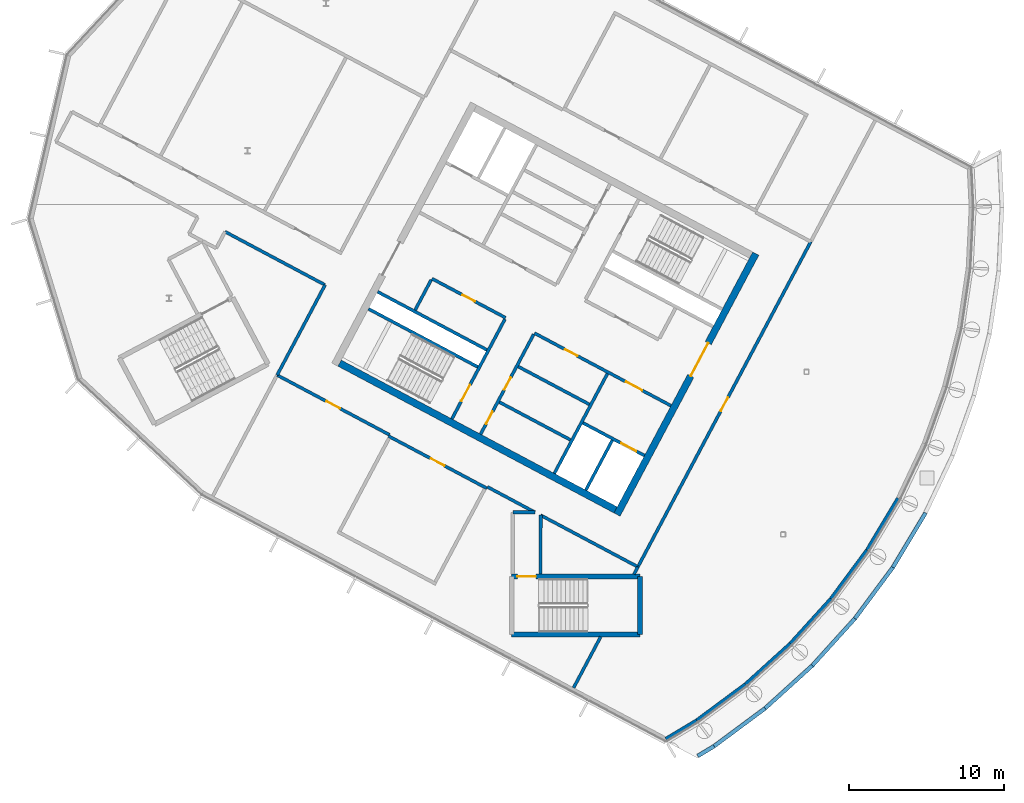
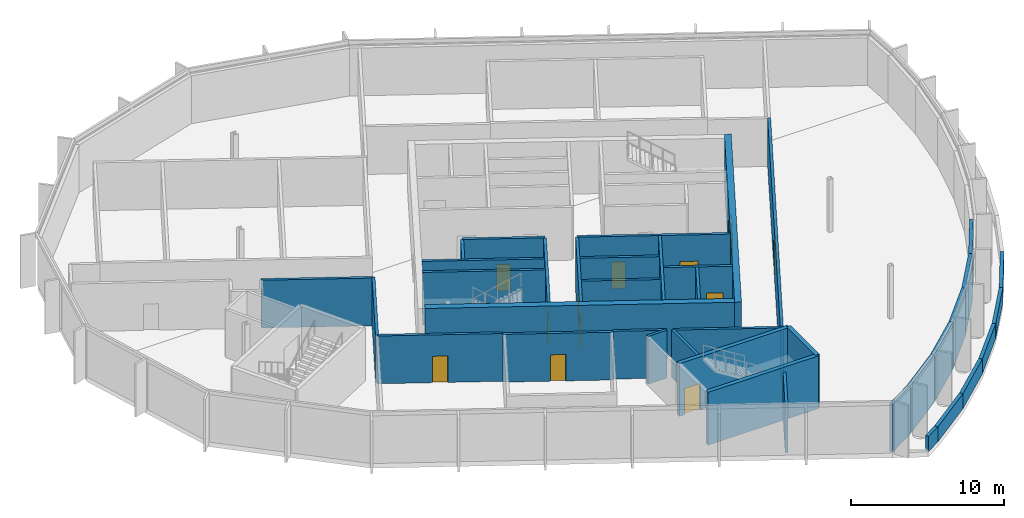
# One storey, part 6 of 16: 40 walls, 12 doors, 12 openings.
"""IFC4 building model written with IfcOpenShell, lengths in metres."""

import ifcopenshell
import ifcopenshell.guid

model = None  # the IFC model being written
_history = None  # IfcOwnerHistory: only IFC2X3 demands one
_inside = {}  # id of a spatial element -> (the spatial element, [elements in it])
_under = {}  # id of a project, library or spatial element -> (it, [spatial elements below it])
_declared = {}  # id of a project -> (the project, [libraries it declares])
_typed = {}  # id of a type object -> (the type object, [elements of that type])
_made_of = {}  # id of a material, layer set ... -> (it, [elements and type objects made of it])


def new_model(schema):
    """Start an empty IFC model of exactly this schema.

    Asked for "IFC4X3", IfcOpenShell would pick the latest addendum, in which some entities
    have other attributes; the version numbers below select the first issue.
    IFC2X3 requires an IfcOwnerHistory on every rooted entity: one is made here for all.
    """
    global model, _history
    if schema == "IFC4X3":
        model = ifcopenshell.file(schema_version=(4, 3, 0, 0))
    else:
        model = ifcopenshell.file(schema=schema)
    _inside.clear()
    _under.clear()
    _declared.clear()
    _typed.clear()
    _made_of.clear()
    _history = None
    if model.schema == "IFC2X3":
        org = make("IfcOrganization", Name="unknown")
        user = make(
            "IfcPersonAndOrganization",
            ThePerson=make("IfcPerson", FamilyName="unknown"),
            TheOrganization=org,
        )
        app = make(
            "IfcApplication",
            ApplicationDeveloper=org,
            Version="unknown",
            ApplicationFullName="unknown",
            ApplicationIdentifier="unknown",
        )
        _history = make(
            "IfcOwnerHistory",
            OwningUser=user,
            OwningApplication=app,
            ChangeAction="ADDED",
            CreationDate=0,
        )
    return model


def make(cls, **values):
    """One entity of the class cls with the attributes given. An attribute that is None is left unset."""
    return model.create_entity(
        cls, **{name: value for name, value in values.items() if value is not None}
    )


def rooted(cls, **values):
    """An entity with a GlobalId (a new one), such as an element, a storey or a relation."""
    return make(cls, GlobalId=ifcopenshell.guid.new(), OwnerHistory=_history, **values)


def si_unit(unit_type, name, prefix=None):
    """IfcSIUnit, for example si_unit("LENGTHUNIT", "METRE", prefix="MILLI")."""
    return make("IfcSIUnit", UnitType=unit_type, Prefix=prefix, Name=name)


def assignment(units):
    """IfcUnitAssignment: the units of a project."""
    return None if units is None else make("IfcUnitAssignment", Units=units)


def point(xyz):
    """IfcCartesianPoint."""
    return None if xyz is None else make("IfcCartesianPoint", Coordinates=xyz)


def direction(xyz):
    """IfcDirection."""
    return None if xyz is None else make("IfcDirection", DirectionRatios=xyz)


def frame(location, z_axis=None, x_axis=None):
    """IfcAxis2Placement3D, a coordinate frame: its origin and axes. An axis left out is left unset."""
    return make(
        "IfcAxis2Placement3D",
        Location=point(location),
        Axis=direction(z_axis),
        RefDirection=direction(x_axis),
    )


def frame_2d(location, x_axis=None):
    """IfcAxis2Placement2D, a coordinate frame in the plane: its origin and x axis."""
    return make(
        "IfcAxis2Placement2D", Location=point(location), RefDirection=direction(x_axis)
    )


def origin():
    """The frame at (0, 0, 0) with its axes left unset."""
    return frame((0.0, 0.0, 0.0))


def place(relative_to, where):
    """IfcLocalPlacement: puts the frame where relative to a parent placement (None: the world)."""
    return make(
        "IfcLocalPlacement", PlacementRelTo=relative_to, RelativePlacement=where
    )


def context(
    kind, dimensions, precision=None, world=None, true_north=None, identifier=None
):
    """IfcGeometricRepresentationContext, for example the 3D "Model" context."""
    return make(
        "IfcGeometricRepresentationContext",
        ContextIdentifier=identifier,
        ContextType=kind,
        CoordinateSpaceDimension=dimensions,
        Precision=precision,
        WorldCoordinateSystem=world,
        TrueNorth=true_north,
    )


def subcontext(parent, identifier, kind, view, scale=None):
    """IfcGeometricRepresentationSubContext, for example "Body" below "Model"."""
    return make(
        "IfcGeometricRepresentationSubContext",
        ContextIdentifier=identifier,
        ContextType=kind,
        ParentContext=parent,
        TargetScale=scale,
        TargetView=view,
    )


def project(units=None, contexts=None):
    """IfcProject with its units and contexts."""
    return rooted(
        "IfcProject",
        Name="project",
        RepresentationContexts=contexts,
        UnitsInContext=assignment(units),
    )


def spatial(cls, under=None, at=None, **own):
    """A site, building, storey or space (cls), placed at a placement, below another one or the project."""
    s = rooted(cls, ObjectPlacement=at, **own)
    if under is not None:
        _under.setdefault(under.id(), (under, []))[1].append(s)
    return s


def profile(cls, at=None, kind="AREA", **sizes):
    """A parametric profile (cls). Its sizes go by their IFC names, for example OverallWidth=200.0."""
    return make(cls, ProfileType=kind, Position=at, **sizes)


def rectangle(**sizes):
    """IfcRectangleProfileDef."""
    return profile("IfcRectangleProfileDef", **sizes)


def extrude(swept, where, along, depth):
    """IfcExtrudedAreaSolid: the profile swept, set in the frame where, extruded along a direction by depth."""
    return make(
        "IfcExtrudedAreaSolid",
        SweptArea=swept,
        Position=where,
        ExtrudedDirection=direction(along),
        Depth=depth,
    )


def shape(context_of_items, identifier, shape_type, items):
    """IfcShapeRepresentation: the items that make up one representation, for example the "Body"."""
    return make(
        "IfcShapeRepresentation",
        ContextOfItems=context_of_items,
        RepresentationIdentifier=identifier,
        RepresentationType=shape_type,
        Items=items,
    )


def material(Name=None, Category=None):
    """IfcMaterial."""
    return make("IfcMaterial", Name=Name, Category=Category)


def layer(
    of_material, thickness, ventilated=None, Name=None, Category=None, Priority=None
):
    """IfcMaterialLayer: one layer of a wall or slab, of a material (None: an air gap)."""
    return make(
        "IfcMaterialLayer",
        Material=of_material,
        LayerThickness=thickness,
        IsVentilated=ventilated,
        Name=Name,
        Category=Category,
        Priority=Priority,
    )


def layer_set(layers, Name=None):
    """IfcMaterialLayerSet."""
    return make("IfcMaterialLayerSet", MaterialLayers=layers, LayerSetName=Name)


def made_of(thing, what):
    """Note that an element or type object is made of a material, layer set ...; save() writes the relation."""
    if what is not None:
        _made_of.setdefault(what.id(), (what, []))[1].append(thing)
    return thing


def type_object(cls, material=None, **own):
    """A type object (cls), such as IfcWallType, which elements share."""
    return made_of(rooted(cls, **own), material)


def element(
    cls,
    number,
    at=None,
    inside=None,
    cuts=None,
    type_object=None,
    material=None,
    context=None,
    identifier="Body",
    shape_type=None,
    held_by="IfcProductDefinitionShape",
    body=None,
    shapes=None,
    **own,
):
    """One element of the class cls, such as IfcWall. Its Tag is "e" and its number.

    at: its placement. inside: the storey or other place that contains it. cuts: it is an
    opening in that element (IfcRelVoidsElement). A single representation is given by context,
    identifier, shape_type and body (its items); several are given by shapes. held_by: the class
    of the entity that holds the representations. save() writes the other relations.
    """
    e = rooted(cls, Tag="e%d" % number, ObjectPlacement=at, **own)
    if body is not None:
        shapes = [shape(context, identifier, shape_type, body)]
    if shapes is not None:
        e.Representation = make(held_by, Representations=shapes)
    if inside is not None:
        _inside.setdefault(inside.id(), (inside, []))[1].append(e)
    if cuts is not None:
        rooted(
            "IfcRelVoidsElement", RelatingBuildingElement=cuts, RelatedOpeningElement=e
        )
    if type_object is not None:
        _typed.setdefault(type_object.id(), (type_object, []))[1].append(e)
    return made_of(e, material)


def fill(opening, filler):
    """IfcRelFillsElement: the door or window that sits in an opening."""
    return rooted(
        "IfcRelFillsElement",
        RelatingOpeningElement=opening,
        RelatedBuildingElement=filler,
    )


def aggregate(whole, parts):
    """IfcRelAggregates: a whole, such as a stair, and the parts it consists of."""
    return rooted("IfcRelAggregates", RelatingObject=whole, RelatedObjects=parts)


def save(model, path):
    """Write the relations noted so far, then the file.

    IfcRelAggregates (storeys below a building ...), IfcRelContainedInSpatialStructure (elements
    in a storey), IfcRelDefinesByType, IfcRelAssociatesMaterial and IfcRelDeclares: one each for
    every whole, place, type object, material and project.
    """
    for whole, parts in _under.values():
        aggregate(whole, parts)
    for where, things in _inside.values():
        rooted(
            "IfcRelContainedInSpatialStructure",
            RelatedElements=things,
            RelatingStructure=where,
        )
    for kind, things in _typed.values():
        rooted("IfcRelDefinesByType", RelatedObjects=things, RelatingType=kind)
    for what, things in _made_of.values():
        rooted("IfcRelAssociatesMaterial", RelatedObjects=things, RelatingMaterial=what)
    for by, libraries in _declared.values():
        rooted("IfcRelDeclares", RelatingContext=by, RelatedDefinitions=libraries)
    model.write(path)


model = new_model("IFC4")

# Units and contexts
model_context = context("Model", 3, precision=1e-05, world=origin(), true_north=direction((0.0, 1.0)))
body_context = subcontext(model_context, "Body", "Model", "MODEL_VIEW")
ifc_project = project(units=[si_unit("LENGTHUNIT", "METRE"), si_unit("AREAUNIT", "SQUARE_METRE"), si_unit("VOLUMEUNIT", "CUBIC_METRE"), si_unit("PLANEANGLEUNIT", "RADIAN"), si_unit("MASSUNIT", "GRAM", prefix="KILO")], contexts=[model_context])

# Site, building, storey
site_placement = place(None, origin())
site = spatial("IfcSite", under=ifc_project, at=site_placement, CompositionType="ELEMENT")
building_placement = place(site_placement, origin())
building = spatial("IfcBuilding", under=site, at=building_placement, Name="Cormorant Relay Tower", CompositionType="ELEMENT")
storey_placement = place(building_placement, frame((0.0, 0.0, 340.800048828125)))
storey = spatial("IfcBuildingStorey", under=building, at=storey_placement, Name="C4", CompositionType="ELEMENT", Elevation=340.800048828125)

# Walls
ifc_material_1 = material(Name="Concrete 40 MPa", Category="concrete")
ifc_layer_1 = layer(ifc_material_1, 0.199951171875)
ifc_layer_set_1 = layer_set([ifc_layer_1], Name="Core internal wall 200")
wall_type_1 = type_object("IfcWallType", Name="Core internal wall 200", PredefinedType="SOLIDWALL", material=ifc_layer_set_1)
wall_1_placement = place(storey_placement, frame((-25.7490234375, 6.102783203125, 0.0), z_axis=(0.0, 0.0, 1.0), x_axis=(-0.882953967957, 0.469459572775, 0.0)))
element("IfcWall", 1, at=wall_1_placement, inside=storey, type_object=wall_type_1, Name="C4 core A shaft and room wall", PredefinedType="SOLIDWALL", context=body_context, shape_type="SweptSolid", body=[
    extrude(rectangle(XDim=5.199951171875, YDim=0.199951171875, at=frame_2d((2.60009765625, 0.0))), origin(), (0.0, 0.0, 1.0), 4.199951171875),
])
ifc_material_2 = material(Name="Concrete 50 MPa", Category="concrete")
ifc_layer_2 = layer(ifc_material_2, 0.199951171875)
ifc_layer_set_2 = layer_set([ifc_layer_2], Name="Core shaft wall 200")
wall_type_2 = type_object("IfcWallType", Name="Core shaft wall 200", PredefinedType="SHEAR", material=ifc_layer_set_2)
wall_2_placement = place(storey_placement, frame((-23.04296875, 6.07958984375, 0.0), z_axis=(0.0, 0.0, 1.0), x_axis=(-0.469494272526, -0.882935517501, 0.0)))
element("IfcWall", 2, at=wall_2_placement, inside=storey, type_object=wall_type_2, Name="C4 core A shaft wall", PredefinedType="SHEAR", context=body_context, shape_type="SweptSolid", body=[
    extrude(rectangle(XDim=3.64990234375, YDim=0.199951171875, at=frame_2d((1.824951171875, 0.0))), origin(), (0.0, 0.0, 1.0), 4.199951171875),
])
wall_3_placement = place(storey_placement, frame((-23.360107421875, 10.38232421875, 0.0), z_axis=(0.0, 0.0, 1.0), x_axis=(-0.469480409012, -0.88294288918, 0.0)))
element("IfcWall", 3, at=wall_3_placement, inside=storey, type_object=wall_type_2, Name="C4 core A shaft wall", PredefinedType="SHEAR", context=body_context, shape_type="SweptSolid", body=[
    extrude(rectangle(XDim=7.300048828125, YDim=0.199951171875, at=frame_2d((3.64990234375, 0.0))), origin(), (0.0, 0.0, 1.0), 4.199951171875),
])

# Wall, openings, doors
wall_4_placement = place(storey_placement, frame((-28.128173828125, 12.91748046875, 0.0), z_axis=(0.0, 0.0, 1.0), x_axis=(-0.469454336211, -0.882956752176, 0.0)))
wall_4 = element("IfcWall", 4, at=wall_4_placement, inside=storey, type_object=wall_type_2, Name="C4 core A shaft wall", PredefinedType="SHEAR", context=body_context, shape_type="SweptSolid", body=[
    extrude(rectangle(XDim=7.300048828125, YDim=0.199951171875, at=frame_2d((3.64990234375, 0.0))), origin(), (0.0, 0.0, 1.0), 4.199951171875),
])
opening_1_placement = place(wall_4_placement, frame((3.14990234375, 0.0, 0.0)))
opening_1 = element("IfcOpeningElement", 5, at=opening_1_placement, cuts=wall_4, Name="Opening CDD-382", PredefinedType="OPENING", context=body_context, shape_type="SweptSolid", body=[
    extrude(rectangle(XDim=0.89990234375, YDim=2.10009765625, at=frame_2d((0.449951171875, 1.050048828125))), frame((0.0, 0.10986328125, 0.0), z_axis=(0.0, -1.0, 0.0), x_axis=(1.0, 0.0, 0.0)), (0.0, 0.0, 1.0), 0.219970703125),
])
opening_2_placement = place(wall_4_placement, frame((5.64990234375, 0.0, 0.0)))
opening_2 = element("IfcOpeningElement", 6, at=opening_2_placement, cuts=wall_4, Name="Opening CDD-383", PredefinedType="OPENING", context=body_context, shape_type="SweptSolid", body=[
    extrude(rectangle(XDim=0.89990234375, YDim=2.10009765625, at=frame_2d((0.449951171875, 1.050048828125))), frame((0.0, 0.10986328125, 0.0), z_axis=(0.0, -1.0, 0.0), x_axis=(1.0, 0.0, 0.0)), (0.0, 0.0, 1.0), 0.219970703125),
])
ifc_material_3 = material(Name="Steel fire door", Category="steel")
door_type_1 = type_object("IfcDoorType", Name="Core room door 900x2100", OperationType="SINGLE_SWING_LEFT", PredefinedType="DOOR", material=ifc_material_3)
door_1_placement = place(opening_1_placement, origin())
door_1 = element("IfcDoor", 7, at=door_1_placement, inside=storey, type_object=door_type_1, Name="Core room door 900x2100", OperationType="SINGLE_SWING_LEFT", OverallHeight=2.10009765625, OverallWidth=0.89990234375, PredefinedType="DOOR", context=body_context, shape_type="SweptSolid", body=[
    extrude(rectangle(XDim=0.89990234375, YDim=2.10009765625, at=frame_2d((0.449951171875, 1.050048828125))), frame((0.0, 0.02490234375, 0.0), z_axis=(0.0, -1.0, 0.0), x_axis=(1.0, 0.0, 0.0)), (0.0, 0.0, 1.0), 0.050048828125),
])
fill(opening_1, door_1)
door_2_placement = place(opening_2_placement, origin())
door_2 = element("IfcDoor", 8, at=door_2_placement, inside=storey, type_object=door_type_1, Name="Core room door 900x2100", OperationType="SINGLE_SWING_LEFT", OverallHeight=2.10009765625, OverallWidth=0.89990234375, PredefinedType="DOOR", context=body_context, shape_type="SweptSolid", body=[
    extrude(rectangle(XDim=0.89990234375, YDim=2.10009765625, at=frame_2d((0.449951171875, 1.050048828125))), frame((0.0, 0.02490234375, 0.0), z_axis=(0.0, -1.0, 0.0), x_axis=(1.0, 0.0, 0.0)), (0.0, 0.0, 1.0), 0.050048828125),
])
fill(opening_2, door_2)

# Wall, opening, door
wall_5_placement = place(storey_placement, frame((-29.982421875, 13.9033203125, 0.0), z_axis=(0.0, 0.0, 1.0), x_axis=(-0.469454336211, -0.882956752176, 0.0)))
wall_5 = element("IfcWall", 9, at=wall_5_placement, inside=storey, type_object=wall_type_2, Name="C4 core A shaft wall", PredefinedType="SHEAR", context=body_context, shape_type="SweptSolid", body=[
    extrude(rectangle(XDim=7.300048828125, YDim=0.199951171875, at=frame_2d((3.64990234375, 0.0))), origin(), (0.0, 0.0, 1.0), 4.199951171875),
])
opening_3_placement = place(wall_5_placement, frame((4.800048828125, 0.0, 0.0)))
opening_3 = element("IfcOpeningElement", 10, at=opening_3_placement, cuts=wall_5, Name="Opening CDB-045", PredefinedType="OPENING", context=body_context, shape_type="SweptSolid", body=[
    extrude(rectangle(XDim=1.199951171875, YDim=2.10009765625, at=frame_2d((0.60009765625, 1.050048828125))), frame((0.0, 0.10986328125, 0.0), z_axis=(0.0, -1.0, 0.0), x_axis=(1.0, 0.0, 0.0)), (0.0, 0.0, 1.0), 0.219970703125),
])
ifc_material_4 = material(Name="Steel fire door", Category="steel")
door_type_2 = type_object("IfcDoorType", Name="Core stair door 1200x2100", OperationType="SINGLE_SWING_LEFT", PredefinedType="DOOR", material=ifc_material_4)
door_3_placement = place(opening_3_placement, frame((1.199951171875, 0.0, 0.0), z_axis=(0.0, 0.0, 1.0), x_axis=(-1.0, 0.0, 0.0)))
door_3 = element("IfcDoor", 11, at=door_3_placement, inside=storey, type_object=door_type_2, Name="Core stair door 1200x2100", OperationType="SINGLE_SWING_RIGHT", OverallHeight=2.10009765625, OverallWidth=1.199951171875, PredefinedType="DOOR", context=body_context, shape_type="SweptSolid", body=[
    extrude(rectangle(XDim=1.199951171875, YDim=2.10009765625, at=frame_2d((0.60009765625, 1.050048828125))), frame((0.0, 0.02490234375, 0.0), z_axis=(0.0, -1.0, 0.0), x_axis=(1.0, 0.0, 0.0)), (0.0, 0.0, 1.0), 0.050048828125),
])
fill(opening_3, door_3)

# Wall
wall_6_placement = place(storey_placement, frame((-34.750244140625, 16.4384765625, 0.0), z_axis=(0.0, 0.0, 1.0), x_axis=(-0.469401318492, -0.882984938828, 0.0)))
element("IfcWall", 12, at=wall_6_placement, inside=storey, type_object=wall_type_2, Name="C4 core A shaft wall", PredefinedType="SHEAR", context=body_context, shape_type="SweptSolid", body=[
    extrude(rectangle(XDim=2.199951171875, YDim=0.199951171875, at=frame_2d((1.10009765625, 0.0))), origin(), (0.0, 0.0, 1.0), 4.199951171875),
])

# Wall, openings, doors
wall_7_placement = place(storey_placement, frame((-19.251708984375, 8.31103515625, 0.0), z_axis=(0.0, 0.0, 1.0), x_axis=(-0.882955722218, 0.469456273365, 0.0)))
wall_7 = element("IfcWall", 13, at=wall_7_placement, inside=storey, type_object=wall_type_2, Name="C4 core A shaft wall", PredefinedType="SHEAR", context=body_context, shape_type="SweptSolid", body=[
    extrude(rectangle(XDim=10.0, YDim=0.199951171875, at=frame_2d((5.0, 0.0))), origin(), (0.0, 0.0, 1.0), 4.199951171875),
])
opening_4_placement = place(wall_7_placement, frame((2.10009765625, 0.0, 0.0)))
opening_4 = element("IfcOpeningElement", 14, at=opening_4_placement, cuts=wall_7, Name="Opening CDC-040", PredefinedType="OPENING", context=body_context, shape_type="SweptSolid", body=[
    extrude(rectangle(XDim=1.199951171875, YDim=2.10009765625, at=frame_2d((0.60009765625, 1.050048828125))), frame((0.0, 0.10986328125, 0.0), z_axis=(0.0, -1.0, 0.0), x_axis=(1.0, 0.0, 0.0)), (0.0, 0.0, 1.0), 0.219970703125),
])
opening_5_placement = place(wall_7_placement, frame((6.85009765625, 0.0, 0.0)))
opening_5 = element("IfcOpeningElement", 15, at=opening_5_placement, cuts=wall_7, Name="Opening CDD-363", PredefinedType="OPENING", context=body_context, shape_type="SweptSolid", body=[
    extrude(rectangle(XDim=0.89990234375, YDim=2.10009765625, at=frame_2d((0.449951171875, 1.050048828125))), frame((0.0, 0.10986328125, 0.0), z_axis=(0.0, -1.0, 0.0), x_axis=(1.0, 0.0, 0.0)), (0.0, 0.0, 1.0), 0.219970703125),
])
ifc_material_5 = material(Name="Steel fire door", Category="steel")
door_type_3 = type_object("IfcDoorType", Name="Core lobby door 1200x2100", OperationType="SINGLE_SWING_LEFT", PredefinedType="DOOR", material=ifc_material_5)
door_4_placement = place(opening_4_placement, origin())
door_4 = element("IfcDoor", 16, at=door_4_placement, inside=storey, type_object=door_type_3, Name="Core lobby door 1200x2100", OperationType="SINGLE_SWING_RIGHT", OverallHeight=2.10009765625, OverallWidth=1.199951171875, PredefinedType="DOOR", context=body_context, shape_type="SweptSolid", body=[
    extrude(rectangle(XDim=1.199951171875, YDim=2.10009765625, at=frame_2d((0.60009765625, 1.050048828125))), frame((0.0, 0.02490234375, 0.0), z_axis=(0.0, -1.0, 0.0), x_axis=(1.0, 0.0, 0.0)), (0.0, 0.0, 1.0), 0.050048828125),
])
fill(opening_4, door_4)
door_5_placement = place(opening_5_placement, origin())
door_5 = element("IfcDoor", 17, at=door_5_placement, inside=storey, type_object=door_type_1, Name="Core room door 900x2100", OperationType="SINGLE_SWING_LEFT", OverallHeight=2.10009765625, OverallWidth=0.89990234375, PredefinedType="DOOR", context=body_context, shape_type="SweptSolid", body=[
    extrude(rectangle(XDim=0.89990234375, YDim=2.10009765625, at=frame_2d((0.449951171875, 1.050048828125))), frame((0.0, 0.02490234375, 0.0), z_axis=(0.0, -1.0, 0.0), x_axis=(1.0, 0.0, 0.0)), (0.0, 0.0, 1.0), 0.050048828125),
])
fill(opening_5, door_5)

# Wall, opening, door
wall_8_placement = place(storey_placement, frame((-29.935302734375, 13.991455078125, 0.0), z_axis=(0.0, 0.0, 1.0), x_axis=(-0.882952937579, 0.469461510692, 0.0)))
wall_8 = element("IfcWall", 18, at=wall_8_placement, inside=storey, type_object=wall_type_2, Name="C4 core A shaft wall", PredefinedType="SHEAR", context=body_context, shape_type="SweptSolid", body=[
    extrude(rectangle(XDim=5.400146484375, YDim=0.199951171875, at=frame_2d((2.7001953125, 0.0))), origin(), (0.0, 0.0, 1.0), 4.199951171875),
])
opening_6_placement = place(wall_8_placement, frame((2.25, 0.0, 0.0)))
opening_6 = element("IfcOpeningElement", 19, at=opening_6_placement, cuts=wall_8, Name="Opening CDD-364", PredefinedType="OPENING", context=body_context, shape_type="SweptSolid", body=[
    extrude(rectangle(XDim=0.89990234375, YDim=2.10009765625, at=frame_2d((0.449951171875, 1.050048828125))), frame((0.0, 0.10986328125, 0.0), z_axis=(0.0, -1.0, 0.0), x_axis=(1.0, 0.0, 0.0)), (0.0, 0.0, 1.0), 0.219970703125),
])
door_6_placement = place(opening_6_placement, origin())
door_6 = element("IfcDoor", 20, at=door_6_placement, inside=storey, type_object=door_type_1, Name="Core room door 900x2100", OperationType="SINGLE_SWING_LEFT", OverallHeight=2.10009765625, OverallWidth=0.89990234375, PredefinedType="DOOR", context=body_context, shape_type="SweptSolid", body=[
    extrude(rectangle(XDim=0.89990234375, YDim=2.10009765625, at=frame_2d((0.449951171875, 1.050048828125))), frame((0.0, 0.02490234375, 0.0), z_axis=(0.0, -1.0, 0.0), x_axis=(1.0, 0.0, 0.0)), (0.0, 0.0, 1.0), 0.050048828125),
])
fill(opening_6, door_6)

# Walls
wall_9_placement = place(storey_placement, frame((-24.5283203125, 8.3984375, 0.0), z_axis=(0.0, 0.0, 1.0), x_axis=(-0.882953967957, 0.469459572775, 0.0)))
element("IfcWall", 21, at=wall_9_placement, inside=storey, type_object=wall_type_2, Name="C4 core A shaft wall", PredefinedType="SHEAR", context=body_context, shape_type="SweptSolid", body=[
    extrude(rectangle(XDim=5.199951171875, YDim=0.199951171875, at=frame_2d((2.60009765625, 0.0))), origin(), (0.0, 0.0, 1.0), 4.199951171875),
])
wall_10_placement = place(storey_placement, frame((-31.150390625, 11.91943359375, 0.0), z_axis=(0.0, 0.0, 1.0), x_axis=(-0.882940221191, 0.469485426614, 0.0)))
element("IfcWall", 22, at=wall_10_placement, inside=storey, type_object=wall_type_2, Name="C4 core A shaft wall", PredefinedType="SHEAR", context=body_context, shape_type="SweptSolid", body=[
    extrude(rectangle(XDim=8.0, YDim=0.199951171875, at=frame_2d((4.0, 0.0))), origin(), (0.0, 0.0, 1.0), 4.199951171875),
])

# Wall, opening, door
wall_11_placement = place(storey_placement, frame((-20.96533203125, 5.088134765625, 0.0), z_axis=(0.0, 0.0, 1.0), x_axis=(-0.882925986334, 0.469512196493, 0.0)))
wall_11 = element("IfcWall", 23, at=wall_11_placement, inside=storey, type_object=wall_type_2, Name="C4 core A shaft wall", PredefinedType="SHEAR", context=body_context, shape_type="SweptSolid", body=[
    extrude(rectangle(XDim=4.5, YDim=0.199951171875, at=frame_2d((2.25, 0.0))), origin(), (0.0, 0.0, 1.0), 4.199951171875),
])
opening_7_placement = place(wall_11_placement, frame((0.60009765625, 0.0, 0.0)))
opening_7 = element("IfcOpeningElement", 24, at=opening_7_placement, cuts=wall_11, Name="Opening LD1-069", PredefinedType="OPENING", context=body_context, shape_type="SweptSolid", body=[
    extrude(rectangle(XDim=1.10009765625, YDim=2.10009765625, at=frame_2d((0.550048828125, 1.050048828125))), frame((0.0, 0.10986328125, 0.0), z_axis=(0.0, -1.0, 0.0), x_axis=(1.0, 0.0, 0.0)), (0.0, 0.0, 1.0), 0.219970703125),
])
ifc_material_6 = material(Name="Stainless steel 316", Category="steel")
door_type_4 = type_object("IfcDoorType", Name="Lift landing door 1100x2100", OperationType="DOUBLE_DOOR_SLIDING", PredefinedType="DOOR", material=ifc_material_6)
door_7_placement = place(opening_7_placement, origin())
door_7 = element("IfcDoor", 25, at=door_7_placement, inside=storey, type_object=door_type_4, Name="FF1 landing door", OperationType="DOUBLE_DOOR_SLIDING", OverallHeight=2.10009765625, OverallWidth=1.10009765625, PredefinedType="DOOR", context=body_context, shape_type="SweptSolid", body=[
    extrude(rectangle(XDim=1.10009765625, YDim=2.10009765625, at=frame_2d((0.550048828125, 1.050048828125))), frame((0.0, 0.02490234375, 0.0), z_axis=(0.0, -1.0, 0.0), x_axis=(1.0, 0.0, 0.0)), (0.0, 0.0, 1.0), 0.050048828125),
])
fill(opening_7, door_7)

# Wall
wall_12_placement = place(storey_placement, frame((-31.7373046875, 10.815673828125, 0.0), z_axis=(0.0, 0.0, 1.0), x_axis=(-0.882940221191, 0.469485426614, 0.0)))
element("IfcWall", 26, at=wall_12_placement, inside=storey, type_object=wall_type_2, Name="C4 core A shaft wall", PredefinedType="SHEAR", context=body_context, shape_type="SweptSolid", body=[
    extrude(rectangle(XDim=8.0, YDim=0.199951171875, at=frame_2d((4.0, 0.0))), origin(), (0.0, 0.0, 1.0), 4.199951171875),
])

# Wall, opening, door
ifc_material_7 = material(Name="Concrete 50 MPa", Category="concrete")
ifc_layer_3 = layer(ifc_material_7, 0.449951171875)
ifc_layer_set_3 = layer_set([ifc_layer_3], Name="Core wall 450")
wall_type_3 = type_object("IfcWallType", Name="Core wall 450", PredefinedType="SHEAR", material=ifc_layer_set_3)
wall_13_placement = place(storey_placement, frame((-13.771484375, 18.138427734375, 0.0), z_axis=(0.0, 0.0, 1.0), x_axis=(-0.469467968382, -0.882949504028, 0.0)))
wall_13 = element("IfcWall", 27, at=wall_13_placement, inside=storey, type_object=wall_type_3, Name="C4 core A wall", PredefinedType="SHEAR", context=body_context, shape_type="SweptSolid", body=[
    extrude(rectangle(XDim=19.099853515625, YDim=0.449951171875, at=frame_2d((9.5498046875, 0.0))), origin(), (0.0, 0.0, 1.0), 4.199951171875),
])
opening_8_placement = place(wall_13_placement, frame((6.550048828125, 0.0, 0.0)))
opening_8 = element("IfcOpeningElement", 28, at=opening_8_placement, cuts=wall_13, Name="Opening CDA-060", PredefinedType="OPENING", context=body_context, shape_type="SweptSolid", body=[
    extrude(rectangle(XDim=2.39990234375, YDim=2.39990234375, at=frame_2d((1.199951171875, 1.199951171875))), frame((0.0, 0.23486328125, 0.0), z_axis=(0.0, -1.0, 0.0), x_axis=(1.0, 0.0, 0.0)), (0.0, 0.0, 1.0), 0.469970703125),
])
ifc_material_8 = material(Name="Steel fire door", Category="steel")
door_type_5 = type_object("IfcDoorType", Name="Core lobby door 2400x2400", OperationType="DOUBLE_DOOR_SINGLE_SWING", PredefinedType="DOOR", material=ifc_material_8)
door_8_placement = place(opening_8_placement, origin())
door_8 = element("IfcDoor", 29, at=door_8_placement, inside=storey, type_object=door_type_5, Name="Core lobby door 2400x2400", OperationType="DOUBLE_DOOR_SINGLE_SWING", OverallHeight=2.39990234375, OverallWidth=2.39990234375, PredefinedType="DOOR", context=body_context, shape_type="SweptSolid", body=[
    extrude(rectangle(XDim=2.39990234375, YDim=2.39990234375, at=frame_2d((1.199951171875, 1.199951171875))), frame((0.0, 0.02490234375, 0.0), z_axis=(0.0, -1.0, 0.0), x_axis=(1.0, 0.0, 0.0)), (0.0, 0.0, 1.0), 0.050048828125),
])
fill(opening_8, door_8)

# Wall
wall_14_placement = place(storey_placement, frame((-22.83154296875, 1.578369140625, 0.0), z_axis=(0.0, 0.0, 1.0), x_axis=(-0.88294509198, 0.469476266226, 0.0)))
element("IfcWall", 30, at=wall_14_placement, inside=storey, type_object=wall_type_3, Name="C4 core A wall", PredefinedType="SHEAR", context=body_context, shape_type="SweptSolid", body=[
    extrude(rectangle(XDim=20.199951171875, YDim=0.449951171875, at=frame_2d((10.10009765625, 0.0))), origin(), (0.0, 0.0, 1.0), 4.199951171875),
])

# Wall, opening, door
ifc_material_9 = material(Name="Concrete 30 MPa block wall", Category="concrete")
ifc_layer_4 = layer(ifc_material_9, 0.199951171875)
ifc_layer_set_4 = layer_set([ifc_layer_4], Name="Crown plant room wall 200")
wall_type_4 = type_object("IfcWallType", Name="Crown plant room wall 200", PredefinedType="PARTITIONING", material=ifc_layer_set_4)
wall_15_placement = place(storey_placement, frame((-31.15087890625, 2.972412109375, 0.0), z_axis=(0.0, 0.0, 1.0), x_axis=(-0.882950149473, 0.469466754463, 0.0)))
wall_15 = element("IfcWall", 31, at=wall_15_placement, inside=storey, type_object=wall_type_4, Name="Plant room wall", PredefinedType="PARTITIONING", context=body_context, shape_type="SweptSolid", body=[
    extrude(rectangle(XDim=7.199951171875, YDim=0.199951171875, at=frame_2d((3.60009765625, 0.0))), origin(), (0.0, 0.0, 1.0), 3.7998046875),
])
opening_9_placement = place(wall_15_placement, frame((3.10009765625, 0.0, 0.0)))
opening_9 = element("IfcOpeningElement", 32, at=opening_9_placement, cuts=wall_15, Name="Opening CRD1-001", PredefinedType="OPENING", context=body_context, shape_type="SweptSolid", body=[
    extrude(rectangle(XDim=1.0, YDim=2.10009765625, at=frame_2d((0.5, 1.050048828125))), frame((0.0, 0.10986328125, 0.0), z_axis=(0.0, -1.0, 0.0), x_axis=(1.0, 0.0, 0.0)), (0.0, 0.0, 1.0), 0.219970703125),
])
ifc_material_10 = material(Name="Galvanised sheet steel ASTM A653 framed door leaf", Category="steel")
door_type_6 = type_object("IfcDoorType", Name="Crown door single 1000", OperationType="SINGLE_SWING_LEFT", PredefinedType="DOOR", material=ifc_material_10)
door_9_placement = place(opening_9_placement, origin())
door_9 = element("IfcDoor", 33, at=door_9_placement, inside=storey, type_object=door_type_6, Name="Heat exchanger room door", OperationType="SINGLE_SWING_LEFT", OverallHeight=2.10009765625, OverallWidth=1.0, PredefinedType="DOOR", context=body_context, shape_type="SweptSolid", body=[
    extrude(rectangle(XDim=1.0, YDim=2.10009765625, at=frame_2d((0.5, 1.050048828125))), frame((0.0, 0.02490234375, 0.0), z_axis=(0.0, -1.0, 0.0), x_axis=(1.0, 0.0, 0.0)), (0.0, 0.0, 1.0), 0.050048828125),
])
fill(opening_9, door_9)

# Walls
wall_16_placement = place(storey_placement, frame((-44.701171875, 10.29052734375, 0.0), z_axis=(0.0, 0.0, 1.0), x_axis=(0.469444770229, 0.882961838193, 0.0)))
element("IfcWall", 34, at=wall_16_placement, inside=storey, type_object=wall_type_4, Name="Plant room wall", PredefinedType="PARTITIONING", context=body_context, shape_type="SweptSolid", body=[
    extrude(rectangle(XDim=6.595947265625, YDim=0.199951171875, at=frame_2d((3.2978515625, 0.0))), origin(), (0.0, 0.0, 1.0), 3.7998046875),
])
wall_17_placement = place(storey_placement, frame((-41.604736328125, 16.114501953125, 0.0), z_axis=(0.0, 0.0, 1.0), x_axis=(-0.88269432005, 0.469947590006, 0.0)))
element("IfcWall", 35, at=wall_17_placement, inside=storey, type_object=wall_type_4, Name="Plant room wall", PredefinedType="PARTITIONING", context=body_context, shape_type="SweptSolid", body=[
    extrude(rectangle(XDim=7.31982421875, YDim=0.199951171875, at=frame_2d((3.659912109375, 0.0))), origin(), (0.0, 0.0, 1.0), 3.7998046875),
])
wall_18_placement = place(storey_placement, frame((-21.391357421875, -2.103515625, 0.0), z_axis=(0.0, 0.0, 1.0), x_axis=(-0.882952949239, 0.469461488761, 0.0)))
element("IfcWall", 36, at=wall_18_placement, inside=storey, type_object=wall_type_4, Name="Plant room wall", PredefinedType="PARTITIONING", context=body_context, shape_type="SweptSolid", body=[
    extrude(rectangle(XDim=7.110107421875, YDim=0.199951171875, at=frame_2d((3.55517578125, 0.0))), origin(), (0.0, 0.0, 1.0), 3.7998046875),
])
wall_19_placement = place(storey_placement, frame((-27.669189453125, 1.234375, 0.0), z_axis=(0.0, 0.0, 1.0), x_axis=(-0.001538163918, -0.999998817025, 0.0)))
element("IfcWall", 37, at=wall_19_placement, inside=storey, type_object=wall_type_4, Name="Plant room wall", PredefinedType="PARTITIONING", context=body_context, shape_type="SweptSolid", body=[
    extrude(rectangle(XDim=3.809326171875, YDim=0.199951171875, at=frame_2d((1.90478515625, 0.0))), origin(), (0.0, 0.0, 1.0), 3.7998046875),
])
wall_20_placement = place(storey_placement, frame((-29.47509765625, 1.4248046875, 0.0), z_axis=(0.0, 0.0, 1.0), x_axis=(0.999999985454, 0.000170561144, 0.0)))
element("IfcWall", 38, at=wall_20_placement, inside=storey, type_object=wall_type_4, Name="Plant room wall", PredefinedType="PARTITIONING", context=body_context, shape_type="SweptSolid", body=[
    extrude(rectangle(XDim=1.431396484375, YDim=0.199951171875, at=frame_2d((0.7158203125, 0.0))), origin(), (0.0, 0.0, 1.0), 3.7998046875),
])
wall_21_placement = place(storey_placement, frame((-28.043701171875, 1.425048828125, 0.0), z_axis=(0.0, 0.0, 1.0), x_axis=(-0.881938187053, 0.471365075305, 0.0)))
element("IfcWall", 39, at=wall_21_placement, inside=storey, type_object=wall_type_4, Name="Plant room wall", PredefinedType="PARTITIONING", context=body_context, shape_type="SweptSolid", body=[
    extrude(rectangle(XDim=3.489990234375, YDim=0.199951171875, at=frame_2d((1.7451171875, 0.0))), origin(), (0.0, 0.0, 1.0), 3.7998046875),
])

# Wall, opening, door
wall_22_placement = place(storey_placement, frame((-37.443603515625, 6.431396484375, 0.0), z_axis=(0.0, 0.0, 1.0), x_axis=(-0.88293683547, 0.469491793934, 0.0)))
wall_22 = element("IfcWall", 40, at=wall_22_placement, inside=storey, type_object=wall_type_4, Name="Plant room wall", PredefinedType="PARTITIONING", context=body_context, shape_type="SweptSolid", body=[
    extrude(rectangle(XDim=8.2197265625, YDim=0.199951171875, at=frame_2d((4.10986328125, 0.0))), origin(), (0.0, 0.0, 1.0), 3.7998046875),
])
opening_10_placement = place(wall_22_placement, frame((3.610107421875, 0.0, 0.0)))
opening_10 = element("IfcOpeningElement", 41, at=opening_10_placement, cuts=wall_22, Name="Opening CRD1-009", PredefinedType="OPENING", context=body_context, shape_type="SweptSolid", body=[
    extrude(rectangle(XDim=1.0, YDim=2.10009765625, at=frame_2d((0.5, 1.050048828125))), frame((0.0, 0.10986328125, 0.0), z_axis=(0.0, -1.0, 0.0), x_axis=(1.0, 0.0, 0.0)), (0.0, 0.0, 1.0), 0.219970703125),
])
door_10_placement = place(opening_10_placement, origin())
door_10 = element("IfcDoor", 42, at=door_10_placement, inside=storey, type_object=door_type_6, Name="Cable entry room door", OperationType="SINGLE_SWING_LEFT", OverallHeight=2.10009765625, OverallWidth=1.0, PredefinedType="DOOR", context=body_context, shape_type="SweptSolid", body=[
    extrude(rectangle(XDim=1.0, YDim=2.10009765625, at=frame_2d((0.5, 1.050048828125))), frame((0.0, 0.02490234375, 0.0), z_axis=(0.0, -1.0, 0.0), x_axis=(1.0, 0.0, 0.0)), (0.0, 0.0, 1.0), 0.050048828125),
])
fill(opening_10, door_10)

wall_23_placement = place(storey_placement, frame((-10.218017578125, 18.91064453125, 0.0), z_axis=(0.0, 0.0, 1.0), x_axis=(-0.469468702847, -0.882949113509, 0.0)))
wall_23 = element("IfcWall", 43, at=wall_23_placement, inside=storey, type_object=wall_type_4, Name="Plant room wall", PredefinedType="PARTITIONING", context=body_context, shape_type="SweptSolid", body=[
    extrude(rectangle(XDim=23.800048828125, YDim=0.199951171875, at=frame_2d((11.89990234375, 0.0))), origin(), (0.0, 0.0, 1.0), 3.7998046875),
])
opening_11_placement = place(wall_23_placement, frame((11.39990234375, 0.0, 0.0)))
opening_11 = element("IfcOpeningElement", 44, at=opening_11_placement, cuts=wall_23, Name="Opening CRD1-015", PredefinedType="OPENING", context=body_context, shape_type="SweptSolid", body=[
    extrude(rectangle(XDim=1.0, YDim=2.10009765625, at=frame_2d((0.5, 1.050048828125))), frame((0.0, 0.10986328125, 0.0), z_axis=(0.0, -1.0, 0.0), x_axis=(1.0, 0.0, 0.0)), (0.0, 0.0, 1.0), 0.219970703125),
])
door_11_placement = place(opening_11_placement, origin())
door_11 = element("IfcDoor", 45, at=door_11_placement, inside=storey, type_object=door_type_6, Name="Equipment hall door", OperationType="SINGLE_SWING_LEFT", OverallHeight=2.10009765625, OverallWidth=1.0, PredefinedType="DOOR", context=body_context, shape_type="SweptSolid", body=[
    extrude(rectangle(XDim=1.0, YDim=2.10009765625, at=frame_2d((0.5, 1.050048828125))), frame((0.0, 0.02490234375, 0.0), z_axis=(0.0, -1.0, 0.0), x_axis=(1.0, 0.0, 0.0)), (0.0, 0.0, 1.0), 0.050048828125),
])
fill(opening_11, door_11)

# Walls
wall_24_placement = place(storey_placement, frame((-21.392333984375, -2.10302734375, 0.0), z_axis=(0.0, 0.0, 1.0), x_axis=(-0.469544796689, -0.882908649806, 0.0)))
element("IfcWall", 46, at=wall_24_placement, inside=storey, type_object=wall_type_4, Name="Plant room wall", PredefinedType="PARTITIONING", context=body_context, shape_type="SweptSolid", body=[
    extrude(rectangle(XDim=0.534423828125, YDim=0.199951171875, at=frame_2d((0.26708984375, 0.0))), origin(), (0.0, 0.0, 1.0), 3.7998046875),
])
wall_25_placement = place(storey_placement, frame((-23.796630859375, -6.625, 0.0), z_axis=(0.0, 0.0, 1.0), x_axis=(-0.469466372195, -0.882950352726, 0.0)))
element("IfcWall", 47, at=wall_25_placement, inside=storey, type_object=wall_type_4, Name="Plant room wall", PredefinedType="PARTITIONING", context=body_context, shape_type="SweptSolid", body=[
    extrude(rectangle(XDim=3.728759765625, YDim=0.199951171875, at=frame_2d((1.8642578125, 0.0))), origin(), (0.0, 0.0, 1.0), 3.7998046875),
])
ifc_material_11 = material(Name="Bronze cladding on Concrete 30 MPa block wall", Category="concrete")
ifc_layer_5 = layer(ifc_material_11, 0.25)
ifc_layer_set_5 = layer_set([ifc_layer_5], Name="Crown wall 250")
wall_type_5 = type_object("IfcWallType", Name="Crown wall 250", PredefinedType="STANDARD", material=ifc_layer_set_5)
for number, where, z_axis, x_axis, name in (
    (48, (-4.566162109375, 2.329345703125, 0.0), (0.0, 0.0, 1.0), (-0.514091999667, -0.85773504993, 0.0), "Crown wall C4"),
    (49, (-6.577880859375, -1.027099609375, 0.0), (0.0, 0.0, 1.0), (-0.595698936897, -0.803207804107, 0.0), "Crown wall C4"),
    (50, (-8.908935546875, -4.170166015625, 0.0), (0.0, 0.0, 1.0), (-0.671566525363, -0.740944263769, 0.0), "Crown wall C4"),
    (51, (-11.536865234375, -7.069580078125, 0.0), (0.0, 0.0, 1.0), (-0.740944263769, -0.671566525363, 0.0), "Crown wall C4"),
    (52, (-14.436279296875, -9.697509765625, 0.0), (0.0, 0.0, 1.0), (-0.803207804107, -0.595698936897, 0.0), "Crown wall C4"),
):
    element("IfcWall", number, at=place(storey_placement, frame(where, z_axis=z_axis, x_axis=x_axis)), inside=storey, type_object=wall_type_5, Name=name, PredefinedType="STANDARD", context=body_context, shape_type="SweptSolid", body=[
        extrude(rectangle(XDim=3.9130859375, YDim=0.25, at=frame_2d((1.95654296875, 0.0))), origin(), (0.0, 0.0, 1.0), 3.7998046875),
    ])
wall_26_placement = place(storey_placement, frame((-17.579345703125, -12.028564453125, 0.0), z_axis=(0.0, 0.0, 1.0), x_axis=(-0.857741752572, -0.514080816501, 0.0)))
element("IfcWall", 53, at=wall_26_placement, inside=storey, type_object=wall_type_5, Name="Crown wall C4", PredefinedType="STANDARD", context=body_context, shape_type="SweptSolid", body=[
    extrude(rectangle(XDim=2.33642578125, YDim=0.25, at=frame_2d((1.168212890625, 0.0))), origin(), (0.0, 0.0, 1.0), 3.7998046875),
])
ifc_material_12 = material(Name="Bronze cladding on Concrete 30 MPa block wall", Category="concrete")
ifc_layer_6 = layer(ifc_material_12, 0.25)
ifc_layer_set_6 = layer_set([ifc_layer_6], Name="Parapet 250")
wall_type_6 = type_object("IfcWallType", Name="Parapet 250", PredefinedType="PARAPET", material=ifc_layer_set_6)
wall_27_placement = place(storey_placement, frame((-2.80224609375, 1.38671875, 0.0), z_axis=(0.0, 0.0, 1.0), x_axis=(-0.514111303159, -0.857723479895, 0.0)))
element("IfcWall", 54, at=wall_27_placement, inside=storey, type_object=wall_type_6, Name="Terrace parapet C3", PredefinedType="PARAPET", context=body_context, shape_type="SweptSolid", body=[
    extrude(rectangle(XDim=4.109619140625, YDim=0.25, at=frame_2d((2.0546875, 0.0))), origin(), (0.0, 0.0, 1.0), 1.199951171875),
])
wall_28_placement = place(storey_placement, frame((-4.9150390625, -2.13818359375, 0.0), z_axis=(0.0, 0.0, 1.0), x_axis=(-0.5956565524, -0.80323923683, 0.0)))
element("IfcWall", 55, at=wall_28_placement, inside=storey, type_object=wall_type_6, Name="Terrace parapet C3", PredefinedType="PARAPET", context=body_context, shape_type="SweptSolid", body=[
    extrude(rectangle(XDim=4.109375, YDim=0.25, at=frame_2d((2.0546875, 0.0))), origin(), (0.0, 0.0, 1.0), 1.199951171875),
])
wall_29_placement = place(storey_placement, frame((-7.36279296875, -5.43896484375, 0.0), z_axis=(0.0, 0.0, 1.0), x_axis=(-0.671592811821, -0.740920437774, 0.0)))
element("IfcWall", 56, at=wall_29_placement, inside=storey, type_object=wall_type_6, Name="Terrace parapet C3", PredefinedType="PARAPET", context=body_context, shape_type="SweptSolid", body=[
    extrude(rectangle(XDim=4.109619140625, YDim=0.25, at=frame_2d((2.0546875, 0.0))), origin(), (0.0, 0.0, 1.0), 1.199951171875),
])
wall_30_placement = place(storey_placement, frame((-10.122802734375, -8.48388671875, 0.0), z_axis=(0.0, 0.0, 1.0), x_axis=(-0.740952767479, -0.671557143037, 0.0)))
element("IfcWall", 57, at=wall_30_placement, inside=storey, type_object=wall_type_6, Name="Terrace parapet C3", PredefinedType="PARAPET", context=body_context, shape_type="SweptSolid", body=[
    extrude(rectangle(XDim=4.109130859375, YDim=0.25, at=frame_2d((2.0546875, 0.0))), origin(), (0.0, 0.0, 1.0), 1.199951171875),
])
wall_31_placement = place(storey_placement, frame((-13.16748046875, -11.243408203125, 0.0), z_axis=(0.0, 0.0, 1.0), x_axis=(-0.803210811359, -0.595694882063, 0.0)))
element("IfcWall", 58, at=wall_31_placement, inside=storey, type_object=wall_type_6, Name="Terrace parapet C3", PredefinedType="PARAPET", context=body_context, shape_type="SweptSolid", body=[
    extrude(rectangle(XDim=4.109375, YDim=0.25, at=frame_2d((2.0546875, 0.0))), origin(), (0.0, 0.0, 1.0), 1.199951171875),
])
wall_32_placement = place(storey_placement, frame((-16.46826171875, -13.69140625, 0.0), z_axis=(0.0, 0.0, 1.0), x_axis=(-0.857720270415, -0.514116657695, 0.0)))
element("IfcWall", 59, at=wall_32_placement, inside=storey, type_object=wall_type_6, Name="Terrace parapet C3", PredefinedType="PARAPET", context=body_context, shape_type="SweptSolid", body=[
    extrude(rectangle(XDim=1.2314453125, YDim=0.25, at=frame_2d((0.61572265625, 0.0))), origin(), (0.0, 0.0, 1.0), 1.199951171875),
])
ifc_material_13 = material(Name="Concrete 50 MPa", Category="concrete")
ifc_layer_7 = layer(ifc_material_13, 0.300048828125)
ifc_layer_set_7 = layer_set([ifc_layer_7], Name="Remote stair wall 300")
wall_type_7 = type_object("IfcWallType", Name="Remote stair wall 300", PredefinedType="SHEAR", material=ifc_layer_set_7)
wall_33_placement = place(storey_placement, frame((-21.25, -2.72509765625, 0.0), z_axis=(0.0, 0.0, 1.0), x_axis=(0.0, -1.0, 0.0)))
element("IfcWall", 60, at=wall_33_placement, inside=storey, type_object=wall_type_7, Name="C4 exit stair RC1 wall", PredefinedType="SHEAR", context=body_context, shape_type="SweptSolid", body=[
    extrude(rectangle(XDim=3.75, YDim=0.300048828125, at=frame_2d((1.875, 0.0))), origin(), (0.0, 0.0, 1.0), 4.199951171875),
])
wall_34_placement = place(storey_placement, frame((-21.25, -6.47509765625, 0.0), z_axis=(0.0, 0.0, 1.0), x_axis=(-1.0, 0.0, 0.0)))
element("IfcWall", 61, at=wall_34_placement, inside=storey, type_object=wall_type_7, Name="C4 exit stair RC1 wall", PredefinedType="SHEAR", context=body_context, shape_type="SweptSolid", body=[
    extrude(rectangle(XDim=8.300048828125, YDim=0.300048828125, at=frame_2d((4.14990234375, 0.0))), origin(), (0.0, 0.0, 1.0), 4.199951171875),
])

# Wall, opening, door
wall_35_placement = place(storey_placement, frame((-29.550048828125, -2.72509765625, 0.0), z_axis=(0.0, 0.0, 1.0), x_axis=(1.0, 0.0, 0.0)))
wall_35 = element("IfcWall", 62, at=wall_35_placement, inside=storey, type_object=wall_type_7, Name="C4 exit stair RC1 wall", PredefinedType="SHEAR", context=body_context, shape_type="SweptSolid", body=[
    extrude(rectangle(XDim=8.300048828125, YDim=0.300048828125, at=frame_2d((4.14990234375, 0.0))), origin(), (0.0, 0.0, 1.0), 4.199951171875),
])
opening_12_placement = place(wall_35_placement, frame((0.375, 0.0, 0.0)))
opening_12 = element("IfcOpeningElement", 63, at=opening_12_placement, cuts=wall_35, Name="Opening CDB-046", PredefinedType="OPENING", context=body_context, shape_type="SweptSolid", body=[
    extrude(rectangle(XDim=1.199951171875, YDim=2.10009765625, at=frame_2d((0.60009765625, 1.050048828125))), frame((0.0, 0.159912109375, 0.0), z_axis=(0.0, -1.0, 0.0), x_axis=(1.0, 0.0, 0.0)), (0.0, 0.0, 1.0), 0.320068359375),
])
door_12_placement = place(opening_12_placement, frame((1.199951171875, 0.0, 0.0), z_axis=(0.0, 0.0, 1.0), x_axis=(-1.0, 0.0, 0.0)))
door_12 = element("IfcDoor", 64, at=door_12_placement, inside=storey, type_object=door_type_2, Name="Exit stair RC1 door", OperationType="SINGLE_SWING_RIGHT", OverallHeight=2.10009765625, OverallWidth=1.199951171875, PredefinedType="DOOR", context=body_context, shape_type="SweptSolid", body=[
    extrude(rectangle(XDim=1.199951171875, YDim=2.10009765625, at=frame_2d((0.60009765625, 1.050048828125))), frame((0.0, 0.02490234375, 0.0), z_axis=(0.0, -1.0, 0.0), x_axis=(1.0, 0.0, 0.0)), (0.0, 0.0, 1.0), 0.050048828125),
])
fill(opening_12, door_12)

save(model, "model.ifc")
